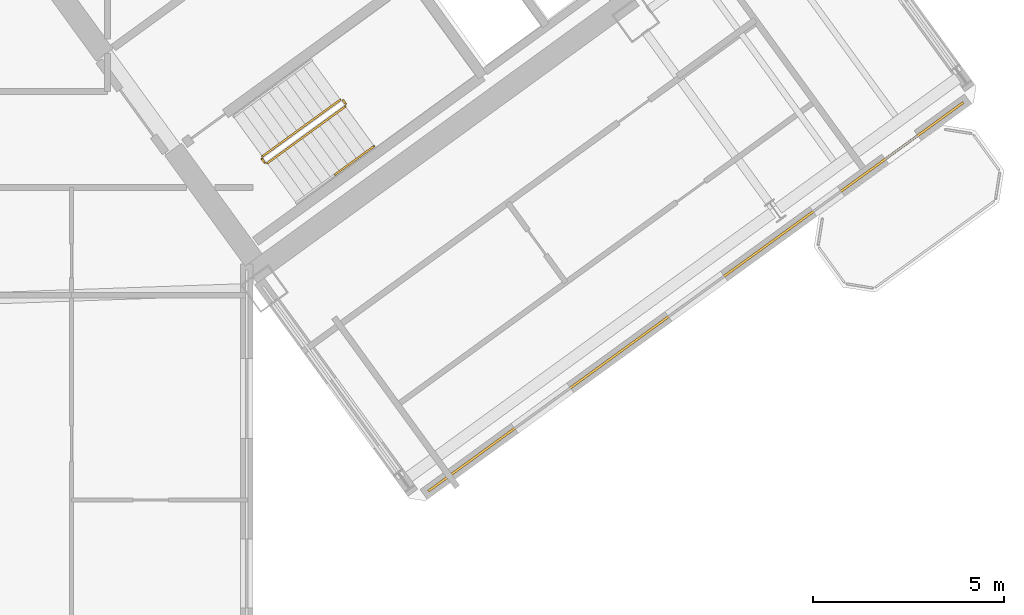
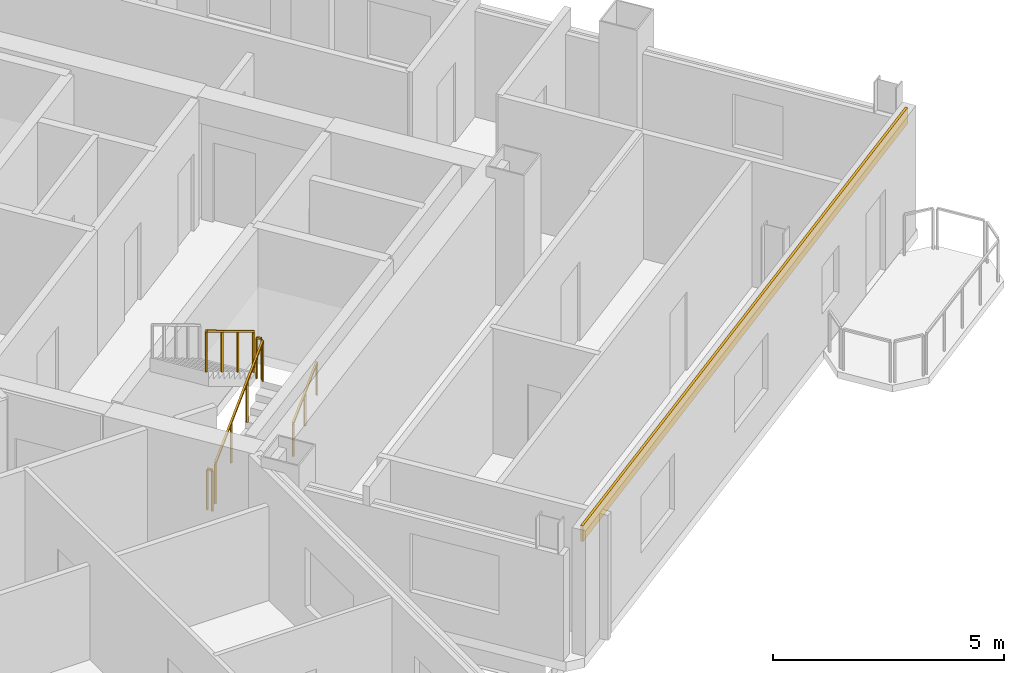
# One storey, part 27 of 29: 5 railings, 1 covering.
"""IFC4 building model written with IfcOpenShell, lengths in metres."""

from ifc_helpers import new_model, si_unit, direction, frame, origin, origin_2d, place, context, subcontext, project, spatial, rectangle, extrude, source, transform, mapped, material, layer, layer_set, type_object, element, save


model = new_model("IFC4")

# Units and contexts
model_context = context("Model", 3, precision=1e-05, world=origin(), true_north=direction((0.0, 1.0)))
body_context = subcontext(model_context, "Body", "Model", "MODEL_VIEW")
ifc_project = project(units=[si_unit("LENGTHUNIT", "METRE"), si_unit("AREAUNIT", "SQUARE_METRE"), si_unit("VOLUMEUNIT", "CUBIC_METRE"), si_unit("PLANEANGLEUNIT", "RADIAN"), si_unit("MASSUNIT", "GRAM", prefix="KILO")], contexts=[model_context])

# Site, building, storey
site_placement = place(None, origin())
site = spatial("IfcSite", under=ifc_project, at=site_placement, CompositionType="ELEMENT")
building_placement = place(site_placement, origin())
building = spatial("IfcBuilding", under=site, at=building_placement, Name="Tlacorven Tower", CompositionType="ELEMENT")
storey_placement = place(building_placement, frame((0.0, 0.0, 165.89990234375)))
storey = spatial("IfcBuildingStorey", under=building, at=storey_placement, Name="L42", CompositionType="ELEMENT", Elevation=165.89990234375)

# Covering
ifc_material_1 = material(Name="Precast concrete C45/55", Category="concrete")
ifc_layer = layer(ifc_material_1, 0.06005859375)
ifc_layer_set = layer_set([ifc_layer], Name="Precast concrete C45/55")
covering_type = type_object("IfcCoveringType", Name="CV-CLD-TERC", PredefinedType="CLADDING", material=ifc_layer_set)
shared_shape_1 = source(origin(), body_context, "Body", "SweptSolid", [
    extrude(rectangle(XDim=17.287353515625, YDim=0.06005859375, at=origin_2d()), origin(), (0.0, 0.0, 1.0), 0.419921875),
])
covering_placement = place(storey_placement, frame((63.9833984375, 12.562255859375, 2.900146484375), z_axis=(0.0, 0.0, 1.0), x_axis=(-0.809017097486, -0.587785110372, 0.0)))
element("IfcCovering", 1, at=covering_placement, inside=storey, type_object=covering_type, Name="L42 Masonry-Frame Spandrel Cladding 6", PredefinedType="CLADDING", context=body_context, shape_type="MappedRepresentation", body=[
    mapped(shared_shape_1, transform((0.0, 0.0, 0.0), scale=1.0)),
])

# Railings
ifc_material_2 = material(Name="Aluminium and painted steel balustrade", Category="steel")
railing_type_1 = type_object("IfcRailingType", Name="RL-GRD-1100", PredefinedType="GUARDRAIL", material=ifc_material_2)
shared_shape_2 = source(origin(), body_context, "Body", "SweptSolid", [
    extrude(rectangle(XDim=0.048095703125, YDim=0.048095703125, at=origin_2d()), frame((0.0, 0.0, 1.076171875), z_axis=(-0.587567097037, 0.809175448515, 0.0), x_axis=(-0.809175448515, -0.587567097037, 0.0)), (0.0, 0.0, 1.0), 0.1201171875),
    extrude(rectangle(XDim=0.0419921875, YDim=0.0419921875, at=origin_2d()), origin(), (0.0, 0.0, 1.0), 1.052001953125),
    extrude(rectangle(XDim=0.0419921875, YDim=0.0419921875, at=origin_2d()), frame((-0.070556640625, 0.09716796875, 0.0)), (0.0, 0.0, 1.0), 1.052001953125),
])
for number, where, name in (
    (2, (54.8310546875, 17.605712890625, 1.800048828125), "L42 ST-E2 stair guard 2"),
    (3, (52.71142578125, 16.065673828125, 0.0), "L42 ST-E2 stair guard 4"),
):
    element("IfcRailing", number, at=place(storey_placement, frame(where)), inside=storey, type_object=railing_type_1, Name=name, PredefinedType="GUARDRAIL", context=body_context, shape_type="MappedRepresentation", body=[
        mapped(shared_shape_2, transform((0.0, 0.0, 0.0), scale=1.0)),
    ])
railing_type_2 = type_object("IfcRailingType", Name="RL-HND-0900", PredefinedType="HANDRAIL", material=ifc_material_2)
shared_shape_3 = source(origin(), body_context, "Body", "SweptSolid", [
    extrude(rectangle(XDim=0.048095703125, YDim=0.048095703125, at=origin_2d()), frame((0.0, 0.0, 0.8759765625), z_axis=(0.680516055757, 0.494372502302, 0.540826891737), x_axis=(-0.587745292299, 0.809046025502, 0.0)), (0.0, 0.0, 1.0), 1.497802734375),
    extrude(rectangle(XDim=0.0419921875, YDim=0.0419921875, at=origin_2d()), origin(), (0.0, 0.0, 1.0), 0.851806640625),
    extrude(rectangle(XDim=0.0419921875, YDim=0.0419921875, at=origin_2d()), frame((0.509765625, 0.3701171875, 0.405029296875)), (0.0, 0.0, 1.0), 0.851806640625),
    extrude(rectangle(XDim=0.0419921875, YDim=0.0419921875, at=origin_2d()), frame((1.019287109375, 0.740478515625, 0.81005859375)), (0.0, 0.0, 1.0), 0.851806640625),
])
railing_1_placement = place(storey_placement, frame((54.552978515625, 15.759765625, 0.989990234375)))
element("IfcRailing", 4, at=railing_1_placement, inside=storey, type_object=railing_type_2, Name="L42 ST-E2 stair handrail 2", PredefinedType="HANDRAIL", context=body_context, shape_type="MappedRepresentation", body=[
    mapped(shared_shape_3, transform((0.0, 0.0, 0.0), scale=1.0)),
])
shared_shape_4 = source(origin(), body_context, "Body", "SweptSolid", [
    extrude(rectangle(XDim=0.048095703125, YDim=0.048095703125, at=origin_2d()), frame((0.0, 0.0, 1.076171875), z_axis=(-0.680532390839, -0.494406659708, 0.54077511024), x_axis=(0.587762637553, -0.809033424462, 0.0)), (0.0, 0.0, 1.0), 2.995849609375),
    extrude(rectangle(XDim=0.0419921875, YDim=0.0419921875, at=origin_2d()), origin(), (0.0, 0.0, 1.0), 1.052001953125),
    extrude(rectangle(XDim=0.0419921875, YDim=0.0419921875, at=origin_2d()), frame((-0.6796875, -0.49365234375, 0.5400390625)), (0.0, 0.0, 1.0), 1.052001953125),
    extrude(rectangle(XDim=0.0419921875, YDim=0.0419921875, at=origin_2d()), frame((-1.359130859375, -0.987548828125, 1.080078125)), (0.0, 0.0, 1.0), 1.052001953125),
    extrude(rectangle(XDim=0.0419921875, YDim=0.0419921875, at=origin_2d()), frame((-2.038818359375, -1.481201171875, 1.6201171875)), (0.0, 0.0, 1.0), 1.052001953125),
])
railing_2_placement = place(storey_placement, frame((54.690673828125, 17.7138671875, 1.97998046875)))
element("IfcRailing", 5, at=railing_2_placement, inside=storey, type_object=railing_type_1, Name="L42 ST-E2 stair guard 3", PredefinedType="GUARDRAIL", context=body_context, shape_type="MappedRepresentation", body=[
    mapped(shared_shape_4, transform((0.0, 0.0, 0.0), scale=1.0)),
])
shared_shape_5 = source(origin(), body_context, "Body", "SweptSolid", [
    extrude(rectangle(XDim=0.048095703125, YDim=0.048095703125, at=origin_2d()), frame((0.0, 0.0, 1.076171875), z_axis=(0.680562380517, 0.494428447203, 0.540717446381), x_axis=(-0.587762637553, 0.809033424462, 0.0)), (0.0, 0.0, 1.0), 2.995849609375),
    extrude(rectangle(XDim=0.0419921875, YDim=0.0419921875, at=origin_2d()), origin(), (0.0, 0.0, 1.0), 1.052001953125),
    extrude(rectangle(XDim=0.0419921875, YDim=0.0419921875, at=origin_2d()), frame((0.6796875, 0.49365234375, 0.5400390625)), (0.0, 0.0, 1.0), 1.052001953125),
    extrude(rectangle(XDim=0.0419921875, YDim=0.0419921875, at=origin_2d()), frame((1.359130859375, 0.987548828125, 1.079833984375)), (0.0, 0.0, 1.0), 1.052001953125),
    extrude(rectangle(XDim=0.0419921875, YDim=0.0419921875, at=origin_2d()), frame((2.038818359375, 1.481201171875, 1.619873046875)), (0.0, 0.0, 1.0), 1.052001953125),
])
railing_3_placement = place(storey_placement, frame((52.78125, 16.0546875, 0.18017578125)))
element("IfcRailing", 6, at=railing_3_placement, inside=storey, type_object=railing_type_1, Name="L42 ST-E2 stair guard 1", PredefinedType="GUARDRAIL", context=body_context, shape_type="MappedRepresentation", body=[
    mapped(shared_shape_5, transform((0.0, 0.0, 0.0), scale=1.0)),
])

save(model, "model.ifc")
